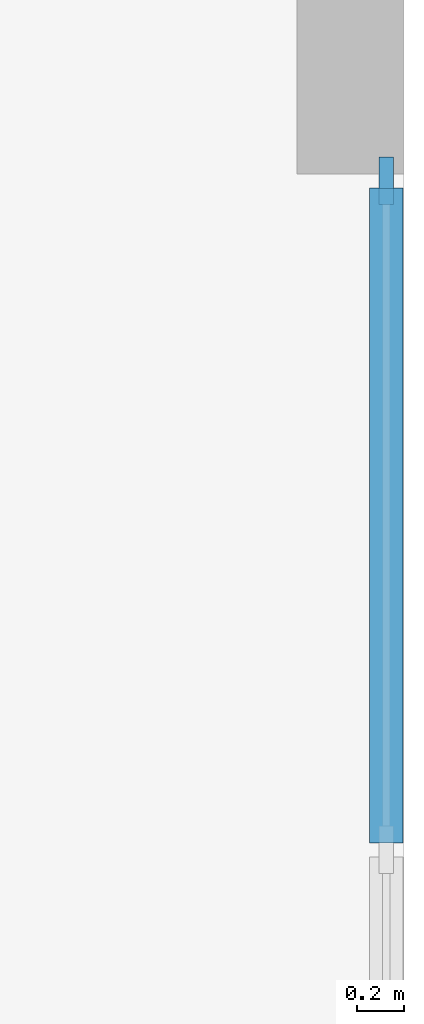
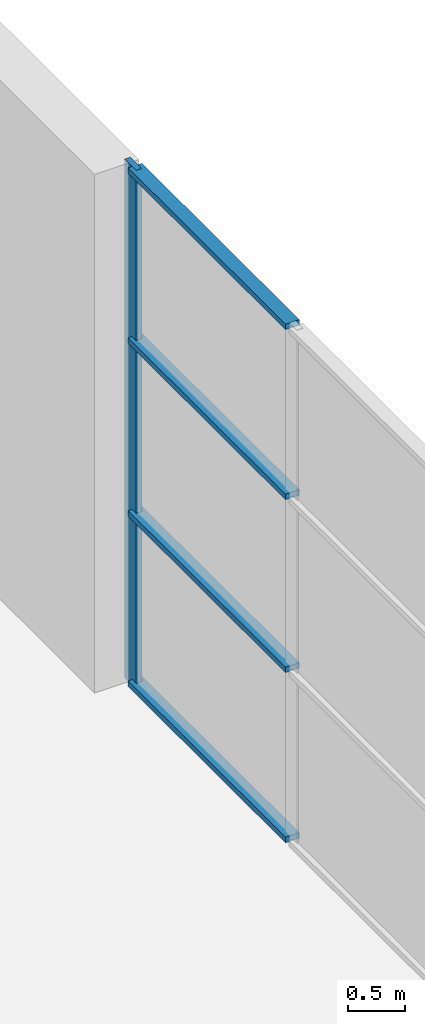
# One storey, part 8 of 27: 5 members, 1 element without a shape of its own.
"""IFC4 building model written with IfcOpenShell, lengths in metres."""

from ifc_helpers import new_model, si_unit, direction, frame, origin, origin_2d, place, context, subcontext, project, spatial, rectangle, extrude, material, material_profile, profile_set, type_object, element, aggregate, save


model = new_model("IFC4")

# Units and contexts
model_context = context("Model", 3, precision=1e-05, world=origin(), true_north=direction((0.0, 1.0)))
body_context = subcontext(model_context, "Body", "Model", "MODEL_VIEW")
ifc_project = project(units=[si_unit("LENGTHUNIT", "METRE"), si_unit("AREAUNIT", "SQUARE_METRE"), si_unit("VOLUMEUNIT", "CUBIC_METRE"), si_unit("PLANEANGLEUNIT", "RADIAN"), si_unit("MASSUNIT", "GRAM", prefix="KILO")], contexts=[model_context])

# Site, building, storey
site_placement = place(None, origin())
site = spatial("IfcSite", under=ifc_project, at=site_placement, CompositionType="ELEMENT")
building_placement = place(site_placement, origin())
building = spatial("IfcBuilding", under=site, at=building_placement, Name="Kajstack Hotel Tower", CompositionType="ELEMENT")
storey_placement = place(building_placement, frame((0.0, 0.0, 11.0)))
storey = spatial("IfcBuildingStorey", under=building, at=storey_placement, Name="L01", CompositionType="ELEMENT", Elevation=11.0)

# Curtain wall, members
ifc_material_1 = material(Name="Aluminium-framed curtain wall, low-iron glass", Category="aluminium")
curtain_wall_type = type_object("IfcCurtainWallType", Name="CW-LOBBY", PredefinedType="NOTDEFINED", material=ifc_material_1)
curtain_wall_placement = place(storey_placement, origin())
curtain_wall = element("IfcCurtainWall", 1, at=curtain_wall_placement, inside=storey, type_object=curtain_wall_type, Name="Curtain wall CU1 L01-07-01-1", PredefinedType="NOTDEFINED")
ifc_material_2 = material(Name="Aluminium", Category="aluminium")
ifc_material_profile_1 = material_profile(ifc_material_2, rectangle(XDim=0.06005859375, YDim=0.199951171875, at=origin_2d()), Name="Aluminium mullion 60 x 200")
ifc_profile_set_1 = profile_set([ifc_material_profile_1], Name="Aluminium")
member_type_1 = type_object("IfcMemberType", Name="CW-M-LOBBY", PredefinedType="MULLION", material=ifc_profile_set_1)
member_1_placement = place(storey_placement, frame((44.925048828125, 10.169921875, 0.0), z_axis=(0.0, 0.0, 1.0), x_axis=(-1.0, 0.0, 0.0)))
member_1 = element("IfcMember", 2, at=member_1_placement, type_object=member_type_1, Name="CU1 mullion 5", PredefinedType="MULLION", context=body_context, shape_type="SweptSolid", body=[
    extrude(rectangle(XDim=0.06005859375, YDim=0.199951171875, at=origin_2d()), origin(), (0.0, 0.0, 1.0), 5.550048828125),
])
ifc_material_profile_2 = material_profile(ifc_material_2, rectangle(XDim=0.139892578125, YDim=0.06005859375, at=origin_2d()), Name="Aluminium transom 140 x 60")
ifc_profile_set_2 = profile_set([ifc_material_profile_2], Name="Aluminium")
member_type_2 = type_object("IfcMemberType", Name="CW-T-LOBBY", PredefinedType="USERDEFINED", material=ifc_profile_set_2)
member_2_placement = place(storey_placement, frame((44.925048828125, 7.3798828125, 0.030029296875), z_axis=(0.0, 1.0, 0.0), x_axis=(-1.0, 0.0, 0.0)))
member_2 = element("IfcMember", 3, at=member_2_placement, type_object=member_type_2, Name="CU1 transom 4.1", ObjectType="TRANSOM", PredefinedType="USERDEFINED", context=body_context, shape_type="SweptSolid", body=[
    extrude(rectangle(XDim=0.139892578125, YDim=0.06005859375, at=origin_2d()), origin(), (0.0, 0.0, 1.0), 2.760009765625),
])
member_3_placement = place(storey_placement, frame((44.925048828125, 7.3798828125, 1.85009765625), z_axis=(0.0, 1.0, 0.0), x_axis=(-1.0, 0.0, 0.0)))
member_3 = element("IfcMember", 4, at=member_3_placement, type_object=member_type_2, Name="CU1 transom 4.2", ObjectType="TRANSOM", PredefinedType="USERDEFINED", context=body_context, shape_type="SweptSolid", body=[
    extrude(rectangle(XDim=0.139892578125, YDim=0.06005859375, at=origin_2d()), origin(), (0.0, 0.0, 1.0), 2.760009765625),
])
member_4_placement = place(storey_placement, frame((44.925048828125, 7.3798828125, 3.699951171875), z_axis=(0.0, 1.0, 0.0), x_axis=(-1.0, 0.0, 0.0)))
member_4 = element("IfcMember", 5, at=member_4_placement, type_object=member_type_2, Name="CU1 transom 4.3", ObjectType="TRANSOM", PredefinedType="USERDEFINED", context=body_context, shape_type="SweptSolid", body=[
    extrude(rectangle(XDim=0.139892578125, YDim=0.06005859375, at=origin_2d()), origin(), (0.0, 0.0, 1.0), 2.760009765625),
])
member_5_placement = place(storey_placement, frame((44.925048828125, 7.3798828125, 5.52001953125), z_axis=(0.0, 1.0, 0.0), x_axis=(-1.0, 0.0, 0.0)))
member_5 = element("IfcMember", 6, at=member_5_placement, type_object=member_type_2, Name="CU1 transom 4.4", ObjectType="TRANSOM", PredefinedType="USERDEFINED", context=body_context, shape_type="SweptSolid", body=[
    extrude(rectangle(XDim=0.139892578125, YDim=0.06005859375, at=origin_2d()), origin(), (0.0, 0.0, 1.0), 2.760009765625),
])
aggregate(curtain_wall, [member_1, member_2, member_3, member_4, member_5])

save(model, "model.ifc")
